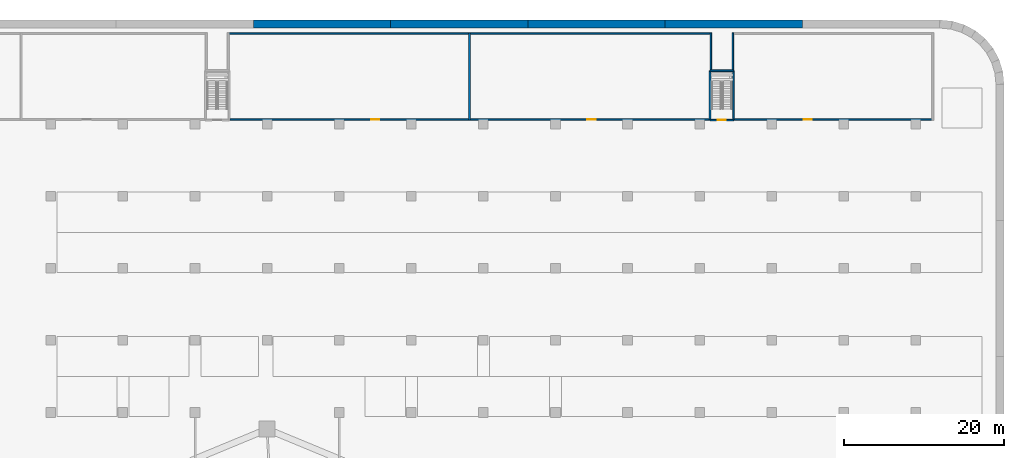
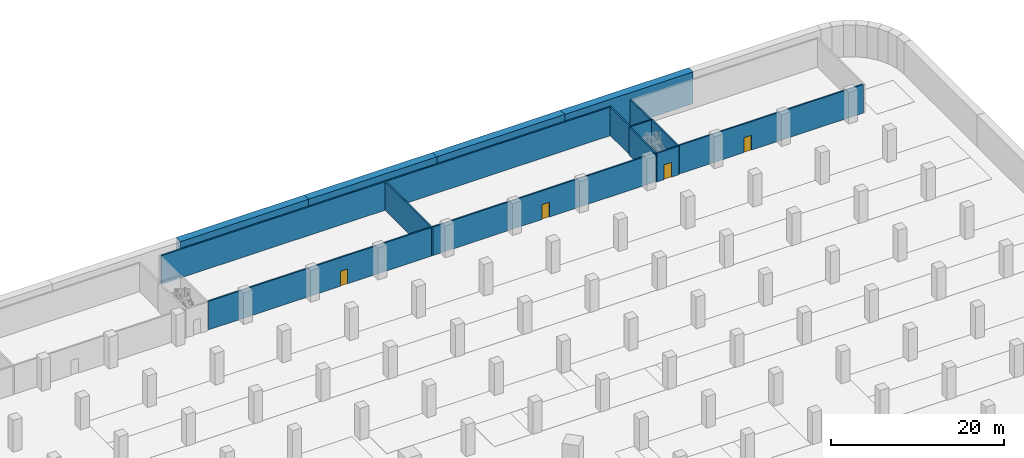
# One storey, part 18 of 34: 16 walls, 4 doors, 4 openings.
"""IFC4 building model written with IfcOpenShell, lengths in metres."""

from ifc_helpers import new_model, si_unit, direction, frame, frame_2d, origin, place, context, subcontext, project, spatial, rectangle, extrude, material, layer, layer_set, type_object, element, fill, save


model = new_model("IFC4")

# Units and contexts
model_context = context("Model", 3, precision=1e-05, world=origin(), true_north=direction((0.0, 1.0)))
body_context = subcontext(model_context, "Body", "Model", "MODEL_VIEW")
ifc_project = project(units=[si_unit("LENGTHUNIT", "METRE"), si_unit("AREAUNIT", "SQUARE_METRE"), si_unit("VOLUMEUNIT", "CUBIC_METRE"), si_unit("PLANEANGLEUNIT", "RADIAN"), si_unit("MASSUNIT", "GRAM", prefix="KILO")], contexts=[model_context])

# Site, building, storey
site_placement = place(None, origin())
site = spatial("IfcSite", under=ifc_project, at=site_placement, CompositionType="ELEMENT")
building_placement = place(site_placement, origin())
building = spatial("IfcBuilding", under=site, at=building_placement, Name="Ogive Gate Towers", CompositionType="ELEMENT")
storey_placement = place(building_placement, frame((0.0, 0.0, -4.5)))
storey = spatial("IfcBuildingStorey", under=building, at=storey_placement, Name="B1", CompositionType="ELEMENT", Elevation=-4.5)

# Wall, opening, door
ifc_material_1 = material(Name="Reinforced concrete C32/40", Category="concrete")
ifc_layer_1 = layer(ifc_material_1, 0.199951171875)
ifc_layer_set_1 = layer_set([ifc_layer_1], Name="Car park stair shaft wall 200")
wall_type_1 = type_object("IfcWallType", Name="Car park stair shaft wall 200", PredefinedType="SOLIDWALL", material=ifc_layer_set_1)
wall_1_placement = place(storey_placement, frame((94.25, 63.5, 0.0), z_axis=(0.0, 0.0, 1.0), x_axis=(-1.0, 0.0, 0.0)))
wall_1 = element("IfcWall", 1, at=wall_1_placement, inside=storey, type_object=wall_type_1, Name="CS4 stair shaft wall B1 1", PredefinedType="SOLIDWALL", context=body_context, shape_type="SweptSolid", body=[
    extrude(rectangle(XDim=2.949951171875, YDim=0.199951171875, at=frame_2d((1.47509765625, 0.0))), origin(), (0.0, 0.0, 1.0), 4.050048828125),
])
opening_1_placement = place(wall_1_placement, frame((0.97509765625, 0.0, 0.0)))
opening_1 = element("IfcOpeningElement", 2, at=opening_1_placement, cuts=wall_1, Name="Opening CPD34-B1", PredefinedType="OPENING", context=body_context, shape_type="SweptSolid", body=[
    extrude(rectangle(XDim=1.0, YDim=2.10009765625, at=frame_2d((0.5, 1.050048828125))), frame((0.0, 0.10986328125, 0.0), z_axis=(0.0, -1.0, 0.0), x_axis=(1.0, 0.0, 0.0)), (0.0, 0.0, 1.0), 0.219970703125),
])
ifc_material_2 = material(Name="Painted steel door", Category="steel")
door_type_1 = type_object("IfcDoorType", Name="Stair house door 1000 x 2100", OperationType="SINGLE_SWING_LEFT", PredefinedType="DOOR", material=ifc_material_2)
door_1_placement = place(opening_1_placement, origin())
door_1 = element("IfcDoor", 3, at=door_1_placement, inside=storey, type_object=door_type_1, Name="Door CS4 stair B1", OperationType="SINGLE_SWING_LEFT", OverallHeight=2.10009765625, OverallWidth=1.0, PredefinedType="DOOR", context=body_context, shape_type="SweptSolid", body=[
    extrude(rectangle(XDim=1.0, YDim=2.10009765625, at=frame_2d((0.5, 1.050048828125))), frame((0.0, 0.02490234375, 0.0), z_axis=(0.0, -1.0, 0.0), x_axis=(1.0, 0.0, 0.0)), (0.0, 0.0, 1.0), 0.050048828125),
])
fill(opening_1, door_1)

# Walls
wall_2_placement = place(storey_placement, frame((91.300048828125, 63.5, 0.0), z_axis=(0.0, 0.0, 1.0), x_axis=(0.0, 1.0, 0.0)))
element("IfcWall", 4, at=wall_2_placement, inside=storey, type_object=wall_type_1, Name="CS4 stair shaft wall B1 2", PredefinedType="SOLIDWALL", context=body_context, shape_type="SweptSolid", body=[
    extrude(rectangle(XDim=6.159912109375, YDim=0.199951171875, at=frame_2d((3.080078125, 0.0))), origin(), (0.0, 0.0, 1.0), 4.050048828125),
])
wall_3_placement = place(storey_placement, frame((91.300048828125, 69.659912109375, 0.0), z_axis=(0.0, 0.0, 1.0), x_axis=(1.0, 0.0, 0.0)))
element("IfcWall", 5, at=wall_3_placement, inside=storey, type_object=wall_type_1, Name="CS4 stair shaft wall B1 3", PredefinedType="SOLIDWALL", context=body_context, shape_type="SweptSolid", body=[
    extrude(rectangle(XDim=2.949951171875, YDim=0.199951171875, at=frame_2d((1.47509765625, 0.0))), origin(), (0.0, 0.0, 1.0), 4.050048828125),
])
wall_4_placement = place(storey_placement, frame((94.25, 69.659912109375, 0.0), z_axis=(0.0, 0.0, 1.0), x_axis=(0.0, -1.0, 0.0)))
element("IfcWall", 6, at=wall_4_placement, inside=storey, type_object=wall_type_1, Name="CS4 stair shaft wall B1 4", PredefinedType="SOLIDWALL", context=body_context, shape_type="SweptSolid", body=[
    extrude(rectangle(XDim=6.159912109375, YDim=0.199951171875, at=frame_2d((3.080078125, 0.0))), origin(), (0.0, 0.0, 1.0), 4.050048828125),
])
ifc_material_3 = material(Name="Blockwork", Category="masonry")
ifc_layer_2 = layer(ifc_material_3, 0.199951171875)
ifc_layer_set_2 = layer_set([ifc_layer_2], Name="Plant room wall 200")
wall_type_2 = type_object("IfcWallType", Name="Plant room wall 200", PredefinedType="PARTITIONING", material=ifc_layer_set_2)
wall_5_placement = place(storey_placement, frame((61.27490234375, 63.5, 0.0), z_axis=(0.0, 0.0, 1.0), x_axis=(0.0, 1.0, 0.0)))
element("IfcWall", 7, at=wall_5_placement, inside=storey, type_object=wall_type_2, Name="Plant room wall B1-015", PredefinedType="PARTITIONING", context=body_context, shape_type="SweptSolid", body=[
    extrude(rectangle(XDim=10.89990234375, YDim=0.199951171875, at=frame_2d((5.449951171875, 0.0))), origin(), (0.0, 0.0, 1.0), 4.050048828125),
])
for number, where, z_axis, x_axis, name in (
    (8, (91.39990234375, 69.780029296875, 0.0), (0.0, 0.0, 1.0), (0.0, 1.0, 0.0), "Plant room wall B1-019"),
    (9, (94.14990234375, 69.780029296875, 0.0), (0.0, 0.0, 1.0), (0.0, 1.0, 0.0), "Plant room wall B1-021"),
):
    element("IfcWall", number, at=place(storey_placement, frame(where, z_axis=z_axis, x_axis=x_axis)), inside=storey, type_object=wall_type_2, Name=name, PredefinedType="PARTITIONING", context=body_context, shape_type="SweptSolid", body=[
        extrude(rectangle(XDim=4.619873046875, YDim=0.199951171875, at=frame_2d((2.31005859375, 0.0))), origin(), (0.0, 0.0, 1.0), 4.050048828125),
    ])

# Wall, opening, door
wall_6_placement = place(storey_placement, frame((31.3701171875, 63.60009765625, 0.0), z_axis=(0.0, 0.0, 1.0), x_axis=(1.0, 0.0, 0.0)))
wall_6 = element("IfcWall", 10, at=wall_6_placement, inside=storey, type_object=wall_type_2, Name="Plant room wall B1-037", PredefinedType="PARTITIONING", context=body_context, shape_type="SweptSolid", body=[
    extrude(rectangle(XDim=29.804931640625, YDim=0.199951171875, at=frame_2d((14.90234375, 0.0))), origin(), (0.0, 0.0, 1.0), 4.050048828125),
])
opening_2_placement = place(wall_6_placement, frame((17.6298828125, 0.0, 0.0)))
opening_2 = element("IfcOpeningElement", 11, at=opening_2_placement, cuts=wall_6, Name="Opening CPD107", PredefinedType="OPENING", context=body_context, shape_type="SweptSolid", body=[
    extrude(rectangle(XDim=1.0, YDim=2.10009765625, at=frame_2d((0.5, 1.050048828125))), frame((0.0, 0.10986328125, 0.0), z_axis=(0.0, -1.0, 0.0), x_axis=(1.0, 0.0, 0.0)), (0.0, 0.0, 1.0), 0.219970703125),
])
door_type_2 = type_object("IfcDoorType", Name="Fire door 1000 x 2100", OperationType="SINGLE_SWING_LEFT", PredefinedType="DOOR", material=ifc_material_2)
door_2_placement = place(opening_2_placement, origin())
door_2 = element("IfcDoor", 12, at=door_2_placement, inside=storey, type_object=door_type_2, Name="Door CPD107", OperationType="SINGLE_SWING_LEFT", OverallHeight=2.10009765625, OverallWidth=1.0, PredefinedType="DOOR", context=body_context, shape_type="SweptSolid", body=[
    extrude(rectangle(XDim=1.0, YDim=2.10009765625, at=frame_2d((0.5, 1.050048828125))), frame((0.0, 0.02490234375, 0.0), z_axis=(0.0, -1.0, 0.0), x_axis=(1.0, 0.0, 0.0)), (0.0, 0.0, 1.0), 0.050048828125),
])
fill(opening_2, door_2)

wall_7_placement = place(storey_placement, frame((61.375, 63.60009765625, 0.0), z_axis=(0.0, 0.0, 1.0), x_axis=(1.0, 0.0, 0.0)))
wall_7 = element("IfcWall", 13, at=wall_7_placement, inside=storey, type_object=wall_type_2, Name="Plant room wall B1-038", PredefinedType="PARTITIONING", context=body_context, shape_type="SweptSolid", body=[
    extrude(rectangle(XDim=29.804931640625, YDim=0.199951171875, at=frame_2d((14.90234375, 0.0))), origin(), (0.0, 0.0, 1.0), 4.050048828125),
])
opening_3_placement = place(wall_7_placement, frame((14.625, 0.0, 0.0)))
opening_3 = element("IfcOpeningElement", 14, at=opening_3_placement, cuts=wall_7, Name="Opening CPD108", PredefinedType="OPENING", context=body_context, shape_type="SweptSolid", body=[
    extrude(rectangle(XDim=1.0, YDim=2.10009765625, at=frame_2d((0.5, 1.050048828125))), frame((0.0, 0.10986328125, 0.0), z_axis=(0.0, -1.0, 0.0), x_axis=(1.0, 0.0, 0.0)), (0.0, 0.0, 1.0), 0.219970703125),
])
door_3_placement = place(opening_3_placement, origin())
door_3 = element("IfcDoor", 15, at=door_3_placement, inside=storey, type_object=door_type_2, Name="Door CPD108", OperationType="SINGLE_SWING_RIGHT", OverallHeight=2.10009765625, OverallWidth=1.0, PredefinedType="DOOR", context=body_context, shape_type="SweptSolid", body=[
    extrude(rectangle(XDim=1.0, YDim=2.10009765625, at=frame_2d((0.5, 1.050048828125))), frame((0.0, 0.02490234375, 0.0), z_axis=(0.0, -1.0, 0.0), x_axis=(1.0, 0.0, 0.0)), (0.0, 0.0, 1.0), 0.050048828125),
])
fill(opening_3, door_3)

wall_8_placement = place(storey_placement, frame((94.3701171875, 63.60009765625, 0.0), z_axis=(0.0, 0.0, 1.0), x_axis=(1.0, 0.0, 0.0)))
wall_8 = element("IfcWall", 16, at=wall_8_placement, inside=storey, type_object=wall_type_2, Name="Plant room wall B1-039", PredefinedType="PARTITIONING", context=body_context, shape_type="SweptSolid", body=[
    extrude(rectangle(XDim=24.6298828125, YDim=0.199951171875, at=frame_2d((12.31494140625, 0.0))), origin(), (0.0, 0.0, 1.0), 4.050048828125),
])
opening_4_placement = place(wall_8_placement, frame((8.6298828125, 0.0, 0.0)))
opening_4 = element("IfcOpeningElement", 17, at=opening_4_placement, cuts=wall_8, Name="Opening CPD109", PredefinedType="OPENING", context=body_context, shape_type="SweptSolid", body=[
    extrude(rectangle(XDim=1.0, YDim=2.10009765625, at=frame_2d((0.5, 1.050048828125))), frame((0.0, 0.10986328125, 0.0), z_axis=(0.0, -1.0, 0.0), x_axis=(1.0, 0.0, 0.0)), (0.0, 0.0, 1.0), 0.219970703125),
])
door_4_placement = place(opening_4_placement, origin())
door_4 = element("IfcDoor", 18, at=door_4_placement, inside=storey, type_object=door_type_2, Name="Door CPD109", OperationType="SINGLE_SWING_LEFT", OverallHeight=2.10009765625, OverallWidth=1.0, PredefinedType="DOOR", context=body_context, shape_type="SweptSolid", body=[
    extrude(rectangle(XDim=1.0, YDim=2.10009765625, at=frame_2d((0.5, 1.050048828125))), frame((0.0, 0.02490234375, 0.0), z_axis=(0.0, -1.0, 0.0), x_axis=(1.0, 0.0, 0.0)), (0.0, 0.0, 1.0), 0.050048828125),
])
fill(opening_4, door_4)

# Walls
for number, where, z_axis, x_axis, name in (
    (19, (31.25, 74.300048828125, 0.0), (0.0, 0.0, 1.0), (1.0, 0.0, 0.0), "Plant room wall B1-046"),
    (20, (61.375, 74.300048828125, 0.0), (0.0, 0.0, 1.0), (1.0, 0.0, 0.0), "Plant room wall B1-047"),
):
    element("IfcWall", number, at=place(storey_placement, frame(where, z_axis=z_axis, x_axis=x_axis)), inside=storey, type_object=wall_type_2, Name=name, PredefinedType="PARTITIONING", context=body_context, shape_type="SweptSolid", body=[
        extrude(rectangle(XDim=29.925048828125, YDim=0.199951171875, at=frame_2d((14.96240234375, 0.0))), origin(), (0.0, 0.0, 1.0), 4.050048828125),
    ])
ifc_material_4 = material(Name="Concrete C40/50", Category="concrete")
ifc_layer_3 = layer(ifc_material_4, 1.0)
ifc_layer_set_3 = layer_set([ifc_layer_3], Name="Retaining wall 1000")
wall_type_3 = type_object("IfcWallType", Name="Retaining wall 1000", PredefinedType="SOLIDWALL", material=ifc_layer_set_3)
wall_9_placement = place(storey_placement, frame((34.27880859375, 75.5, 0.0), z_axis=(0.0, 0.0, 1.0), x_axis=(1.0, 0.0, 0.0)))
element("IfcWall", 21, at=wall_9_placement, inside=storey, type_object=wall_type_3, Name="BS/B1/SWL049", PredefinedType="SOLIDWALL", context=body_context, shape_type="SweptSolid", body=[
    extrude(rectangle(XDim=17.13916015625, YDim=1.0, at=frame_2d((8.569580078125, 0.0))), origin(), (0.0, 0.0, 1.0), 4.5),
])
for number, where, z_axis, x_axis, name in (
    (22, (51.41796875, 75.5, 0.0), (0.0, 0.0, 1.0), (1.0, 0.0, 0.0), "BS/B1/SWL050"),
    (23, (68.557373046875, 75.5, 0.0), (0.0, 0.0, 1.0), (1.0, 0.0, 0.0), "BS/B1/SWL051"),
    (24, (85.69677734375, 75.5, 0.0), (0.0, 0.0, 1.0), (1.0, 0.0, 0.0), "BS/B1/SWL052"),
):
    element("IfcWall", number, at=place(storey_placement, frame(where, z_axis=z_axis, x_axis=x_axis)), inside=storey, type_object=wall_type_3, Name=name, PredefinedType="SOLIDWALL", context=body_context, shape_type="SweptSolid", body=[
        extrude(rectangle(XDim=17.139404296875, YDim=1.0, at=frame_2d((8.56982421875, 0.0))), origin(), (0.0, 0.0, 1.0), 4.5),
    ])

save(model, "model.ifc")
